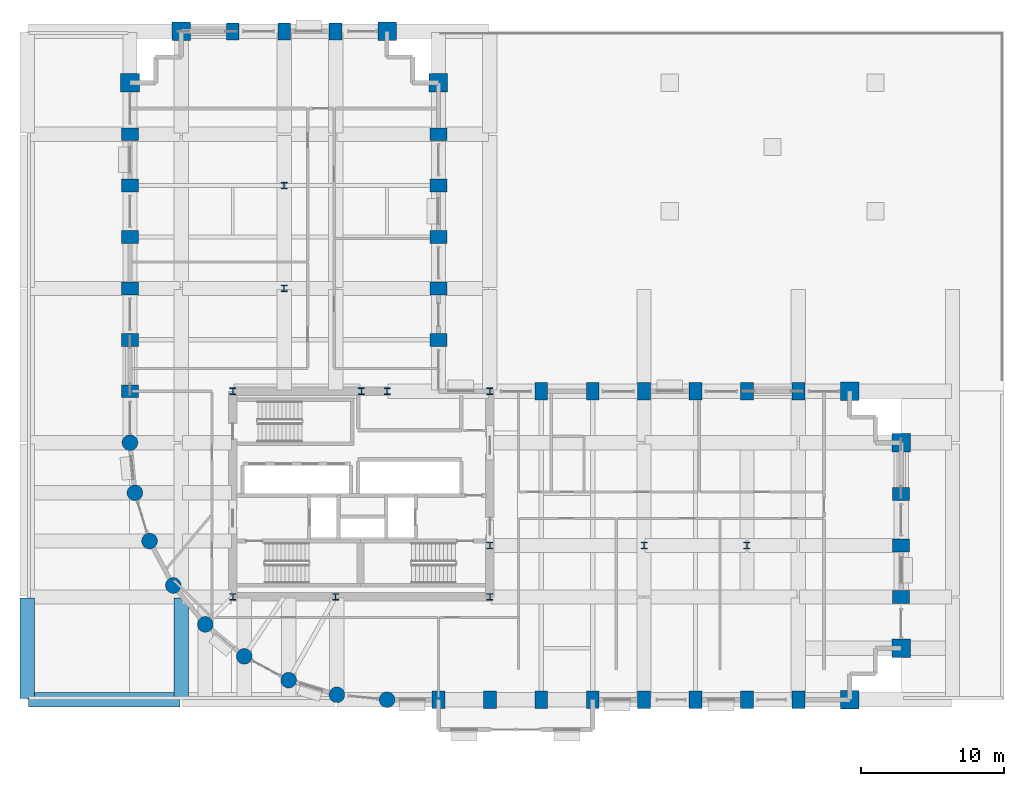
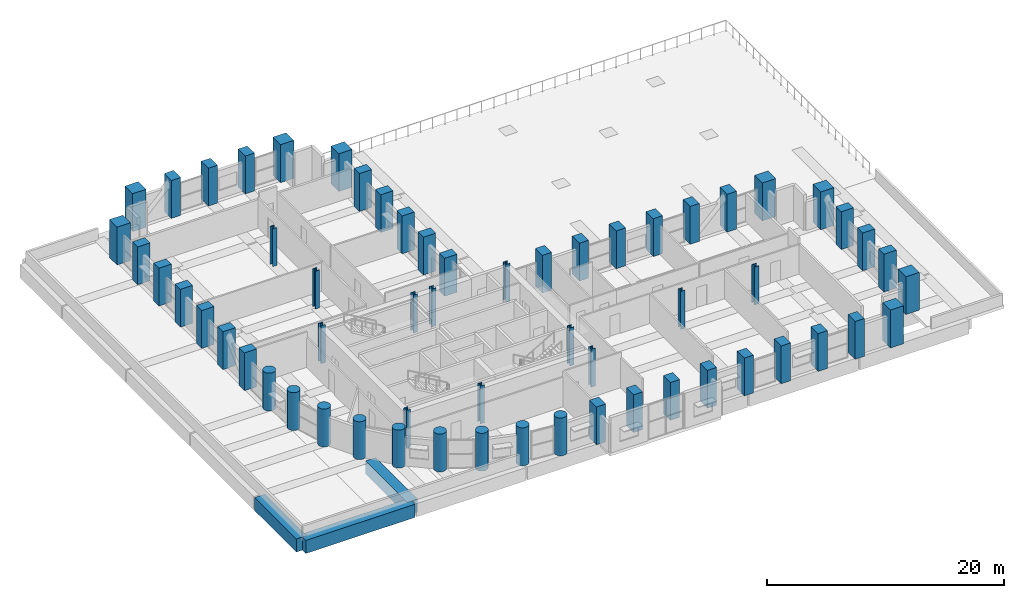
# One storey, part 1 of 39: 60 columns, 3 beams.
"""IFC4 building model written with IfcOpenShell, lengths in metres."""

from ifc_helpers import new_model, si_unit, direction, frame, origin, origin_2d, place, context, subcontext, project, spatial, rectangle, circle, i_section, extrude, material, material_profile, profile_set, type_object, element, save


model = new_model("IFC4")

# Units and contexts
model_context = context("Model", 3, precision=1e-05, world=origin(), true_north=direction((0.0, 1.0)))
body_context = subcontext(model_context, "Body", "Model", "MODEL_VIEW")
ifc_project = project(units=[si_unit("LENGTHUNIT", "METRE"), si_unit("AREAUNIT", "SQUARE_METRE"), si_unit("VOLUMEUNIT", "CUBIC_METRE"), si_unit("PLANEANGLEUNIT", "RADIAN"), si_unit("MASSUNIT", "GRAM", prefix="KILO")], contexts=[model_context])

# Site, building, storey
site_placement = place(None, origin())
site = spatial("IfcSite", under=ifc_project, at=site_placement, CompositionType="ELEMENT")
building_placement = place(site_placement, origin())
building = spatial("IfcBuilding", under=site, at=building_placement, Name="Solnavia Interchange Tower", CompositionType="ELEMENT")
storey_placement = place(building_placement, frame((0.0, 0.0, 24.0)))
storey = spatial("IfcBuildingStorey", under=building, at=storey_placement, Name="L05", CompositionType="ELEMENT", Elevation=24.0)

# Columns
ifc_material_1 = material(Name="Concrete C60/75", Category="concrete")
ifc_material_profile_1 = material_profile(ifc_material_1, rectangle(XDim=0.89990234375, YDim=1.199951171875, at=origin_2d()), Name="RC 1200x900")
ifc_profile_set_1 = profile_set([ifc_material_profile_1], Name="Concrete C60/75")
column_type_1 = type_object("IfcColumnType", Name="Col-RC-1200x900", PredefinedType="COLUMN", material=ifc_profile_set_1)
for number, where, z_axis, x_axis, name in (
    (1, (7.199951171875, 25.199951171875, 0.0), (0.0, 0.0, 1.0), (0.0, 1.0, 0.0), "COL-L05-02 Tower perim y column"),
    (2, (7.199951171875, 28.800048828125, 0.0), (0.0, 0.0, 1.0), (0.0, 1.0, 0.0), "COL-L05-03 Tower perim y column"),
    (3, (7.199951171875, 32.39990234375, 0.0), (0.0, 0.0, 1.0), (0.0, 1.0, 0.0), "COL-L05-04 Tower perim y column"),
    (4, (7.199951171875, 36.0, 0.0), (0.0, 0.0, 1.0), (0.0, 1.0, 0.0), "COL-L05-05 Tower perim y column"),
    (5, (7.199951171875, 39.60009765625, 0.0), (0.0, 0.0, 1.0), (0.0, 1.0, 0.0), "COL-L05-06 Tower perim y column"),
    (6, (7.199951171875, 43.199951171875, 0.0), (0.0, 0.0, 1.0), (0.0, 1.0, 0.0), "COL-L05-07 Tower perim y column"),
    (7, (14.39990234375, 50.39990234375, 0.0), (0.0, 0.0, 1.0), (1.0, 0.0, 0.0), "COL-L05-16 Tower perim x column"),
    (8, (18.0, 50.39990234375, 0.0), (0.0, 0.0, 1.0), (1.0, 0.0, 0.0), "COL-L05-20 Tower perim x column"),
    (9, (21.60009765625, 50.39990234375, 0.0), (0.0, 0.0, 1.0), (1.0, 0.0, 0.0), "COL-L05-23 Tower perim x column"),
    (10, (28.800048828125, 3.60009765625, 0.0), (0.0, 0.0, 1.0), (1.0, 0.0, 0.0), "COL-L05-29 Tower perim x column"),
    (11, (28.800048828125, 28.800048828125, 0.0), (0.0, 0.0, 1.0), (0.0, 1.0, 0.0), "COL-L05-30 Tower perim y column"),
    (12, (28.800048828125, 32.39990234375, 0.0), (0.0, 0.0, 1.0), (0.0, 1.0, 0.0), "COL-L05-31 Tower perim y column"),
    (13, (28.800048828125, 36.0, 0.0), (0.0, 0.0, 1.0), (0.0, 1.0, 0.0), "COL-L05-32 Tower perim y column"),
    (14, (28.800048828125, 39.60009765625, 0.0), (0.0, 0.0, 1.0), (0.0, 1.0, 0.0), "COL-L05-33 Tower perim y column"),
    (15, (28.800048828125, 43.199951171875, 0.0), (0.0, 0.0, 1.0), (0.0, 1.0, 0.0), "COL-L05-34 Tower perim y column"),
    (16, (32.39990234375, 3.60009765625, 0.0), (0.0, 0.0, 1.0), (1.0, 0.0, 0.0), "COL-L05-36 Tower perim x column"),
    (17, (36.0, 3.60009765625, 0.0), (0.0, 0.0, 1.0), (1.0, 0.0, 0.0), "COL-L05-40 Tower perim x column"),
    (18, (36.0, 25.199951171875, 0.0), (0.0, 0.0, 1.0), (1.0, 0.0, 0.0), "COL-L05-41 Tower perim x column"),
    (19, (39.60009765625, 3.60009765625, 0.0), (0.0, 0.0, 1.0), (1.0, 0.0, 0.0), "COL-L05-42 Tower perim x column"),
    (20, (39.60009765625, 25.199951171875, 0.0), (0.0, 0.0, 1.0), (1.0, 0.0, 0.0), "COL-L05-43 Tower perim x column"),
    (21, (43.199951171875, 3.60009765625, 0.0), (0.0, 0.0, 1.0), (1.0, 0.0, 0.0), "COL-L05-44 Tower perim x column"),
    (22, (43.199951171875, 25.199951171875, 0.0), (0.0, 0.0, 1.0), (1.0, 0.0, 0.0), "COL-L05-46 Tower perim x column"),
    (23, (46.800048828125, 3.60009765625, 0.0), (0.0, 0.0, 1.0), (1.0, 0.0, 0.0), "COL-L05-47 Tower perim x column"),
    (24, (46.800048828125, 25.199951171875, 0.0), (0.0, 0.0, 1.0), (1.0, 0.0, 0.0), "COL-L05-48 Tower perim x column"),
    (25, (50.39990234375, 3.60009765625, 0.0), (0.0, 0.0, 1.0), (1.0, 0.0, 0.0), "COL-L05-49 Tower perim x column"),
    (26, (50.39990234375, 25.199951171875, 0.0), (0.0, 0.0, 1.0), (1.0, 0.0, 0.0), "COL-L05-51 Tower perim x column"),
    (27, (54.0, 3.60009765625, 0.0), (0.0, 0.0, 1.0), (1.0, 0.0, 0.0), "COL-L05-52 Tower perim x column"),
    (28, (54.0, 25.199951171875, 0.0), (0.0, 0.0, 1.0), (1.0, 0.0, 0.0), "COL-L05-53 Tower perim x column"),
    (29, (61.199951171875, 10.800048828125, 0.0), (0.0, 0.0, 1.0), (0.0, 1.0, 0.0), "COL-L05-57 Tower perim y column"),
    (30, (61.199951171875, 14.39990234375, 0.0), (0.0, 0.0, 1.0), (0.0, 1.0, 0.0), "COL-L05-58 Tower perim y column"),
    (31, (61.199951171875, 18.0, 0.0), (0.0, 0.0, 1.0), (0.0, 1.0, 0.0), "COL-L05-59 Tower perim y column"),
):
    element("IfcColumn", number, at=place(storey_placement, frame(where, z_axis=z_axis, x_axis=x_axis)), inside=storey, type_object=column_type_1, Name=name, PredefinedType="COLUMN", context=body_context, shape_type="SweptSolid", body=[
        extrude(rectangle(XDim=0.89990234375, YDim=1.199951171875, at=origin_2d()), origin(), (0.0, 0.0, 1.0), 3.89990234375),
    ])
ifc_material_profile_2 = material_profile(ifc_material_1, rectangle(XDim=1.300048828125, YDim=1.300048828125, at=origin_2d()), Name="RC 1300x1300")
ifc_profile_set_2 = profile_set([ifc_material_profile_2], Name="Concrete C60/75")
column_type_2 = type_object("IfcColumnType", Name="Col-RC-1300x1300", PredefinedType="COLUMN", material=ifc_profile_set_2)
for number, where, z_axis, x_axis, name in (
    (32, (7.199951171875, 46.800048828125, 0.0), (0.0, 0.0, 1.0), (0.0, 1.0, 0.0), "COL-L05-08 Tower corner column"),
    (33, (10.800048828125, 50.39990234375, 0.0), (0.0, 0.0, 1.0), (1.0, 0.0, 0.0), "COL-L05-12 Tower corner column"),
    (34, (25.199951171875, 50.39990234375, 0.0), (0.0, 0.0, 1.0), (1.0, 0.0, 0.0), "COL-L05-28 Tower corner column"),
    (35, (28.800048828125, 46.800048828125, 0.0), (0.0, 0.0, 1.0), (0.0, 1.0, 0.0), "COL-L05-35 Tower corner column"),
    (36, (57.60009765625, 3.60009765625, 0.0), (0.0, 0.0, 1.0), (1.0, 0.0, 0.0), "COL-L05-54 Tower corner column"),
    (37, (57.60009765625, 25.199951171875, 0.0), (0.0, 0.0, 1.0), (1.0, 0.0, 0.0), "COL-L05-55 Tower corner column"),
    (38, (61.199951171875, 7.199951171875, 0.0), (0.0, 0.0, 1.0), (1.0, 0.0, 0.0), "COL-L05-56 Tower corner column"),
    (39, (61.199951171875, 21.60009765625, 0.0), (0.0, 0.0, 1.0), (0.0, 1.0, 0.0), "COL-L05-60 Tower corner column"),
):
    element("IfcColumn", number, at=place(storey_placement, frame(where, z_axis=z_axis, x_axis=x_axis)), inside=storey, type_object=column_type_2, Name=name, PredefinedType="COLUMN", context=body_context, shape_type="SweptSolid", body=[
        extrude(rectangle(XDim=1.300048828125, YDim=1.300048828125, at=origin_2d()), origin(), (0.0, 0.0, 1.0), 3.89990234375),
    ])
ifc_material_profile_3 = material_profile(ifc_material_1, circle(Radius=0.550048828125, at=origin_2d()), Name="RC D1100")
ifc_profile_set_3 = profile_set([ifc_material_profile_3], Name="Concrete C60/75")
column_type_3 = type_object("IfcColumnType", Name="Col-RC-D1100", PredefinedType="COLUMN", material=ifc_profile_set_3)
for number, where, z_axis, x_axis, name in (
    (40, (7.199951171875, 21.60009765625, 0.0), (0.0, 0.0, 1.0), (1.0, 0.0, 0.0), "COL-L05-01 Tower drum column"),
    (41, (7.5458984375, 18.087890625, 0.0), (0.0, 0.0, 1.0), (1.0, 0.0, 0.0), "COL-L05-09 Tower drum column"),
    (42, (8.570068359375, 14.7119140625, 0.0), (0.0, 0.0, 1.0), (1.0, 0.0, 0.0), "COL-L05-10 Tower drum column"),
    (43, (10.23388671875, 11.60009765625, 0.0), (0.0, 0.0, 1.0), (1.0, 0.0, 0.0), "COL-L05-11 Tower drum column"),
    (44, (12.471923828125, 8.8720703125, 0.0), (0.0, 0.0, 1.0), (1.0, 0.0, 0.0), "COL-L05-13 Tower drum column"),
    (45, (15.199951171875, 6.634033203125, 0.0), (0.0, 0.0, 1.0), (1.0, 0.0, 0.0), "COL-L05-17 Tower drum column"),
    (46, (18.31201171875, 4.969970703125, 0.0), (0.0, 0.0, 1.0), (1.0, 0.0, 0.0), "COL-L05-21 Tower drum column"),
    (47, (21.68798828125, 3.946044921875, 0.0), (0.0, 0.0, 1.0), (1.0, 0.0, 0.0), "COL-L05-24 Tower drum column"),
    (48, (25.199951171875, 3.60009765625, 0.0), (0.0, 0.0, 1.0), (1.0, 0.0, 0.0), "COL-L05-26 Tower drum column"),
):
    element("IfcColumn", number, at=place(storey_placement, frame(where, z_axis=z_axis, x_axis=x_axis)), inside=storey, type_object=column_type_3, Name=name, PredefinedType="COLUMN", context=body_context, shape_type="SweptSolid", body=[
        extrude(circle(Radius=0.550048828125, at=origin_2d()), origin(), (0.0, 0.0, 1.0), 3.89990234375),
    ])
ifc_material_2 = material(Name="Steel S355", Category="steel")
ifc_material_profile_4 = material_profile(ifc_material_2, i_section(OverallWidth=0.424072265625, OverallDepth=0.467041015625, WebThickness=0.032958984375, FlangeThickness=0.053466796875, FilletRadius=0.014892578125, at=origin_2d()), Name="HD 400x509")
ifc_profile_set_4 = profile_set([ifc_material_profile_4], Name="Steel S355")
column_type_4 = type_object("IfcColumnType", Name="Col-Steel-HD400x509", PredefinedType="COLUMN", material=ifc_profile_set_4)
for number, where, z_axis, x_axis, name in (
    (49, (14.39990234375, 10.800048828125, 0.0), (0.0, 0.0, 1.0), (1.0, 0.0, 0.0), "COL-L05-14 Tower interior column"),
    (50, (14.39990234375, 25.199951171875, 0.0), (0.0, 0.0, 1.0), (1.0, 0.0, 0.0), "COL-L05-15 Tower interior column"),
    (51, (18.0, 32.39990234375, 0.0), (0.0, 0.0, 1.0), (1.0, 0.0, 0.0), "COL-L05-18 Tower interior column"),
    (52, (18.0, 39.60009765625, 0.0), (0.0, 0.0, 1.0), (1.0, 0.0, 0.0), "COL-L05-19 Tower interior column"),
    (53, (21.60009765625, 10.800048828125, 0.0), (0.0, 0.0, 1.0), (1.0, 0.0, 0.0), "COL-L05-22 Tower interior column"),
    (54, (23.39990234375, 25.199951171875, 0.0), (0.0, 0.0, 1.0), (1.0, 0.0, 0.0), "COL-L05-25 Tower interior column"),
    (55, (25.199951171875, 25.199951171875, 0.0), (0.0, 0.0, 1.0), (1.0, 0.0, 0.0), "COL-L05-27 Tower interior column"),
    (56, (32.39990234375, 10.800048828125, 0.0), (0.0, 0.0, 1.0), (1.0, 0.0, 0.0), "COL-L05-37 Tower interior column"),
    (57, (32.39990234375, 14.39990234375, 0.0), (0.0, 0.0, 1.0), (1.0, 0.0, 0.0), "COL-L05-38 Tower interior column"),
    (58, (32.39990234375, 25.199951171875, 0.0), (0.0, 0.0, 1.0), (1.0, 0.0, 0.0), "COL-L05-39 Tower interior column"),
    (59, (43.199951171875, 14.39990234375, 0.0), (0.0, 0.0, 1.0), (1.0, 0.0, 0.0), "COL-L05-45 Tower interior column"),
    (60, (50.39990234375, 14.39990234375, 0.0), (0.0, 0.0, 1.0), (1.0, 0.0, 0.0), "COL-L05-50 Tower interior column"),
):
    element("IfcColumn", number, at=place(storey_placement, frame(where, z_axis=z_axis, x_axis=x_axis)), inside=storey, type_object=column_type_4, Name=name, PredefinedType="COLUMN", context=body_context, shape_type="SweptSolid", body=[
        extrude(i_section(OverallWidth=0.424072265625, OverallDepth=0.467041015625, WebThickness=0.032958984375, FlangeThickness=0.053466796875, FilletRadius=0.014892578125, at=origin_2d()), origin(), (0.0, 0.0, 1.0), 3.89990234375),
    ])

# Beams
ifc_material_profile_5 = material_profile(ifc_material_1, rectangle(XDim=1.0, YDim=1.35009765625, at=origin_2d()), Name="RC 1000x1350")
ifc_profile_set_5 = profile_set([ifc_material_profile_5], Name="Concrete C60/75")
beam_type = type_object("IfcBeamType", Name="Beam-Transfer-RC1000x1350", PredefinedType="BEAM", material=ifc_profile_set_5)
beam_placement = place(storey_placement, frame((0.080078125, 3.60009765625, -0.675048828125), z_axis=(1.0, 0.0, 0.0), x_axis=(0.0, 1.0, 0.0)))
element("IfcBeam", 61, at=beam_placement, inside=storey, type_object=beam_type, Name="TRB-L05-01 South primary transfer girder", PredefinedType="BEAM", context=body_context, shape_type="SweptSolid", body=[
    extrude(rectangle(XDim=1.0, YDim=1.35009765625, at=origin_2d()), origin(), (0.0, 0.0, 1.0), 10.639892578125),
])
for number, where, z_axis, x_axis, name in (
    (62, (0.0, 3.679931640625, -0.675048828125), (0.0, 1.0, 0.0), (-1.0, 0.0, 0.0), "TRB-L05-30 West N-S primary transfer girder"),
    (63, (10.800048828125, 3.679931640625, -0.675048828125), (0.0, 1.0, 0.0), (-1.0, 0.0, 0.0), "TRB-L05-35 West N-S primary transfer girder"),
):
    element("IfcBeam", number, at=place(storey_placement, frame(where, z_axis=z_axis, x_axis=x_axis)), inside=storey, type_object=beam_type, Name=name, PredefinedType="BEAM", context=body_context, shape_type="SweptSolid", body=[
        extrude(rectangle(XDim=1.0, YDim=1.35009765625, at=origin_2d()), origin(), (0.0, 0.0, 1.0), 7.0400390625),
    ])

save(model, "model.ifc")
